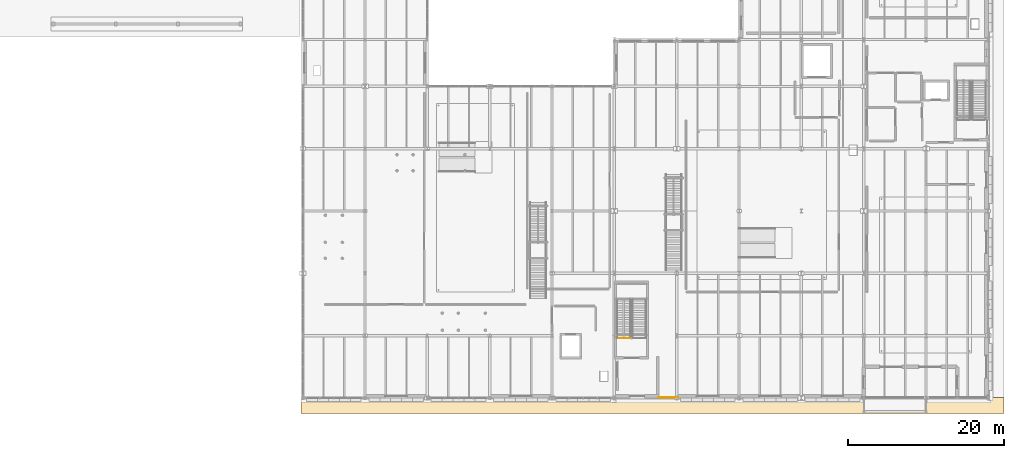
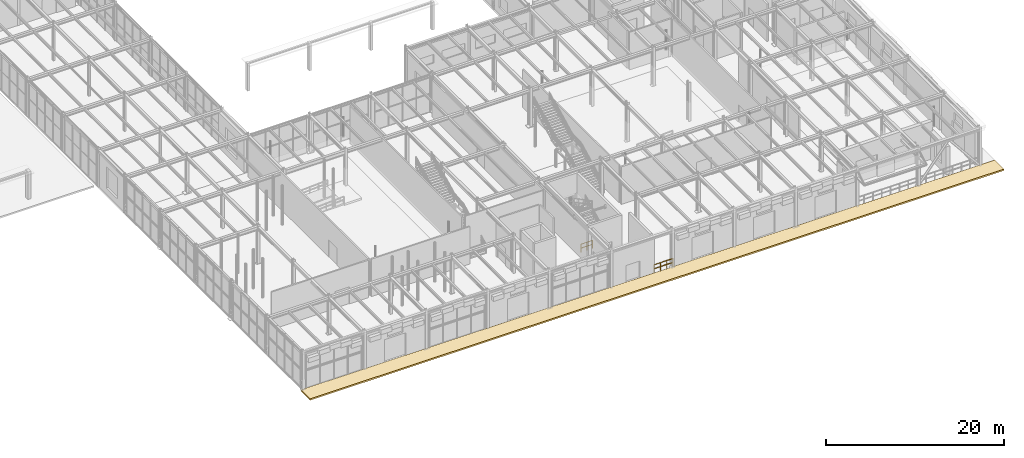
# One storey, part 113 of 129: 2 railings, 1 covering.
"""IFC4 building model written with IfcOpenShell, lengths in metres."""

import ifcopenshell
import ifcopenshell.guid

model = None  # the IFC model being written
_history = None  # IfcOwnerHistory: only IFC2X3 demands one
_inside = {}  # id of a spatial element -> (the spatial element, [elements in it])
_under = {}  # id of a project, library or spatial element -> (it, [spatial elements below it])
_declared = {}  # id of a project -> (the project, [libraries it declares])
_typed = {}  # id of a type object -> (the type object, [elements of that type])
_made_of = {}  # id of a material, layer set ... -> (it, [elements and type objects made of it])


def new_model(schema):
    """Start an empty IFC model of exactly this schema.

    Asked for "IFC4X3", IfcOpenShell would pick the latest addendum, in which some entities
    have other attributes; the version numbers below select the first issue.
    IFC2X3 requires an IfcOwnerHistory on every rooted entity: one is made here for all.
    """
    global model, _history
    if schema == "IFC4X3":
        model = ifcopenshell.file(schema_version=(4, 3, 0, 0))
    else:
        model = ifcopenshell.file(schema=schema)
    _inside.clear()
    _under.clear()
    _declared.clear()
    _typed.clear()
    _made_of.clear()
    _history = None
    if model.schema == "IFC2X3":
        org = make("IfcOrganization", Name="unknown")
        user = make(
            "IfcPersonAndOrganization",
            ThePerson=make("IfcPerson", FamilyName="unknown"),
            TheOrganization=org,
        )
        app = make(
            "IfcApplication",
            ApplicationDeveloper=org,
            Version="unknown",
            ApplicationFullName="unknown",
            ApplicationIdentifier="unknown",
        )
        _history = make(
            "IfcOwnerHistory",
            OwningUser=user,
            OwningApplication=app,
            ChangeAction="ADDED",
            CreationDate=0,
        )
    return model


def make(cls, **values):
    """One entity of the class cls with the attributes given. An attribute that is None is left unset."""
    return model.create_entity(
        cls, **{name: value for name, value in values.items() if value is not None}
    )


def rooted(cls, **values):
    """An entity with a GlobalId (a new one), such as an element, a storey or a relation."""
    return make(cls, GlobalId=ifcopenshell.guid.new(), OwnerHistory=_history, **values)


def si_unit(unit_type, name, prefix=None):
    """IfcSIUnit, for example si_unit("LENGTHUNIT", "METRE", prefix="MILLI")."""
    return make("IfcSIUnit", UnitType=unit_type, Prefix=prefix, Name=name)


def assignment(units):
    """IfcUnitAssignment: the units of a project."""
    return None if units is None else make("IfcUnitAssignment", Units=units)


def point(xyz):
    """IfcCartesianPoint."""
    return None if xyz is None else make("IfcCartesianPoint", Coordinates=xyz)


def direction(xyz):
    """IfcDirection."""
    return None if xyz is None else make("IfcDirection", DirectionRatios=xyz)


def frame(location, z_axis=None, x_axis=None):
    """IfcAxis2Placement3D, a coordinate frame: its origin and axes. An axis left out is left unset."""
    return make(
        "IfcAxis2Placement3D",
        Location=point(location),
        Axis=direction(z_axis),
        RefDirection=direction(x_axis),
    )


def frame_2d(location, x_axis=None):
    """IfcAxis2Placement2D, a coordinate frame in the plane: its origin and x axis."""
    return make(
        "IfcAxis2Placement2D", Location=point(location), RefDirection=direction(x_axis)
    )


def origin():
    """The frame at (0, 0, 0) with its axes left unset."""
    return frame((0.0, 0.0, 0.0))


def origin_2d():
    """The frame at (0, 0) in the plane with its x axis left unset."""
    return frame_2d((0.0, 0.0))


def place(relative_to, where):
    """IfcLocalPlacement: puts the frame where relative to a parent placement (None: the world)."""
    return make(
        "IfcLocalPlacement", PlacementRelTo=relative_to, RelativePlacement=where
    )


def context(
    kind, dimensions, precision=None, world=None, true_north=None, identifier=None
):
    """IfcGeometricRepresentationContext, for example the 3D "Model" context."""
    return make(
        "IfcGeometricRepresentationContext",
        ContextIdentifier=identifier,
        ContextType=kind,
        CoordinateSpaceDimension=dimensions,
        Precision=precision,
        WorldCoordinateSystem=world,
        TrueNorth=true_north,
    )


def subcontext(parent, identifier, kind, view, scale=None):
    """IfcGeometricRepresentationSubContext, for example "Body" below "Model"."""
    return make(
        "IfcGeometricRepresentationSubContext",
        ContextIdentifier=identifier,
        ContextType=kind,
        ParentContext=parent,
        TargetScale=scale,
        TargetView=view,
    )


def project(units=None, contexts=None):
    """IfcProject with its units and contexts."""
    return rooted(
        "IfcProject",
        Name="project",
        RepresentationContexts=contexts,
        UnitsInContext=assignment(units),
    )


def spatial(cls, under=None, at=None, **own):
    """A site, building, storey or space (cls), placed at a placement, below another one or the project."""
    s = rooted(cls, ObjectPlacement=at, **own)
    if under is not None:
        _under.setdefault(under.id(), (under, []))[1].append(s)
    return s


def polyline(points):
    """IfcPolyline through the points."""
    return make("IfcPolyline", Points=[point(p) for p in points])


def profile(cls, at=None, kind="AREA", **sizes):
    """A parametric profile (cls). Its sizes go by their IFC names, for example OverallWidth=200.0."""
    return make(cls, ProfileType=kind, Position=at, **sizes)


def circle(**sizes):
    """IfcCircleProfileDef."""
    return profile("IfcCircleProfileDef", **sizes)


def outline(outer, holes=None, kind="AREA"):
    """IfcArbitraryClosedProfileDef: a profile drawn as a closed curve; with holes, ...WithVoids."""
    if holes is None:
        return make("IfcArbitraryClosedProfileDef", ProfileType=kind, OuterCurve=outer)
    return make(
        "IfcArbitraryProfileDefWithVoids",
        ProfileType=kind,
        OuterCurve=outer,
        InnerCurves=holes,
    )


def extrude(swept, where, along, depth):
    """IfcExtrudedAreaSolid: the profile swept, set in the frame where, extruded along a direction by depth."""
    return make(
        "IfcExtrudedAreaSolid",
        SweptArea=swept,
        Position=where,
        ExtrudedDirection=direction(along),
        Depth=depth,
    )


def shape(context_of_items, identifier, shape_type, items):
    """IfcShapeRepresentation: the items that make up one representation, for example the "Body"."""
    return make(
        "IfcShapeRepresentation",
        ContextOfItems=context_of_items,
        RepresentationIdentifier=identifier,
        RepresentationType=shape_type,
        Items=items,
    )


def material(Name=None, Category=None):
    """IfcMaterial."""
    return make("IfcMaterial", Name=Name, Category=Category)


def layer(
    of_material, thickness, ventilated=None, Name=None, Category=None, Priority=None
):
    """IfcMaterialLayer: one layer of a wall or slab, of a material (None: an air gap)."""
    return make(
        "IfcMaterialLayer",
        Material=of_material,
        LayerThickness=thickness,
        IsVentilated=ventilated,
        Name=Name,
        Category=Category,
        Priority=Priority,
    )


def layer_set(layers, Name=None):
    """IfcMaterialLayerSet."""
    return make("IfcMaterialLayerSet", MaterialLayers=layers, LayerSetName=Name)


def made_of(thing, what):
    """Note that an element or type object is made of a material, layer set ...; save() writes the relation."""
    if what is not None:
        _made_of.setdefault(what.id(), (what, []))[1].append(thing)
    return thing


def type_object(cls, material=None, **own):
    """A type object (cls), such as IfcWallType, which elements share."""
    return made_of(rooted(cls, **own), material)


def element(
    cls,
    number,
    at=None,
    inside=None,
    cuts=None,
    type_object=None,
    material=None,
    context=None,
    identifier="Body",
    shape_type=None,
    held_by="IfcProductDefinitionShape",
    body=None,
    shapes=None,
    **own,
):
    """One element of the class cls, such as IfcWall. Its Tag is "e" and its number.

    at: its placement. inside: the storey or other place that contains it. cuts: it is an
    opening in that element (IfcRelVoidsElement). A single representation is given by context,
    identifier, shape_type and body (its items); several are given by shapes. held_by: the class
    of the entity that holds the representations. save() writes the other relations.
    """
    e = rooted(cls, Tag="e%d" % number, ObjectPlacement=at, **own)
    if body is not None:
        shapes = [shape(context, identifier, shape_type, body)]
    if shapes is not None:
        e.Representation = make(held_by, Representations=shapes)
    if inside is not None:
        _inside.setdefault(inside.id(), (inside, []))[1].append(e)
    if cuts is not None:
        rooted(
            "IfcRelVoidsElement", RelatingBuildingElement=cuts, RelatedOpeningElement=e
        )
    if type_object is not None:
        _typed.setdefault(type_object.id(), (type_object, []))[1].append(e)
    return made_of(e, material)


def aggregate(whole, parts):
    """IfcRelAggregates: a whole, such as a stair, and the parts it consists of."""
    return rooted("IfcRelAggregates", RelatingObject=whole, RelatedObjects=parts)


def save(model, path):
    """Write the relations noted so far, then the file.

    IfcRelAggregates (storeys below a building ...), IfcRelContainedInSpatialStructure (elements
    in a storey), IfcRelDefinesByType, IfcRelAssociatesMaterial and IfcRelDeclares: one each for
    every whole, place, type object, material and project.
    """
    for whole, parts in _under.values():
        aggregate(whole, parts)
    for where, things in _inside.values():
        rooted(
            "IfcRelContainedInSpatialStructure",
            RelatedElements=things,
            RelatingStructure=where,
        )
    for kind, things in _typed.values():
        rooted("IfcRelDefinesByType", RelatedObjects=things, RelatingType=kind)
    for what, things in _made_of.values():
        rooted("IfcRelAssociatesMaterial", RelatedObjects=things, RelatingMaterial=what)
    for by, libraries in _declared.values():
        rooted("IfcRelDeclares", RelatingContext=by, RelatedDefinitions=libraries)
    model.write(path)


model = new_model("IFC4")

# Units and contexts
model_context = context("Model", 3, precision=1e-05, world=origin(), true_north=direction((0.0, 1.0)))
body_context = subcontext(model_context, "Body", "Model", "MODEL_VIEW")
ifc_project = project(units=[si_unit("LENGTHUNIT", "METRE"), si_unit("AREAUNIT", "SQUARE_METRE"), si_unit("VOLUMEUNIT", "CUBIC_METRE"), si_unit("PLANEANGLEUNIT", "RADIAN"), si_unit("MASSUNIT", "GRAM", prefix="KILO")], contexts=[model_context])

# Site, building, storey
site_placement = place(None, origin())
site = spatial("IfcSite", under=ifc_project, at=site_placement, CompositionType="ELEMENT")
building_placement = place(site_placement, origin())
building = spatial("IfcBuilding", under=site, at=building_placement, Name="Sundkrona Museum", CompositionType="ELEMENT")
storey_placement = place(building_placement, origin())
storey = spatial("IfcBuildingStorey", under=building, at=storey_placement, Name="L00", CompositionType="ELEMENT", Elevation=0.0)

# Covering
ifc_material_1 = material(Name="Frost-Resistant Vitrified Stoneware Mosaic Cladding", Category="masonry")
ifc_layer = layer(ifc_material_1, 0.044921875)
ifc_layer_set = layer_set([ifc_layer], Name="Frost-Resistant Vitrified Stoneware Mosaic Cladding")
covering_type = type_object("IfcCoveringType", Name="COV-CLD-MOS", PredefinedType="CLADDING", material=ifc_layer_set)
covering_placement = place(storey_placement, frame((0.0, 0.0, -0.219970703125)))
element("IfcCovering", 1, at=covering_placement, inside=storey, type_object=covering_type, Name="Granite Street and Forecourt Civic Plinth (COV-PLN-SOUTH)", PredefinedType="CLADDING", context=body_context, shape_type="SweptSolid", body=[
    extrude(outline(polyline([(79.800048828125, -2.0), (170.0, -2.0), (170.0, 0.050048828125), (79.800048828125, 0.050048828125), (79.800048828125, -2.0)])), origin(), (0.0, 0.0, 1.0), 0.2099609375),
])

# Railings
ifc_material_2 = material(Name="Painted Steel S355J2 and Laminated Glass Balustrade", Category="steel")
railing_type = type_object("IfcRailingType", Name="RL-GUARD-1100", PredefinedType="BALUSTRADE", material=ifc_material_2)
railing_1_placement = place(storey_placement, frame((120.580078125, 7.6650390625, 0.0)))
element("IfcRailing", 2, at=railing_1_placement, inside=storey, type_object=railing_type, Name="L00 Edge Protection Balustrade 028", PredefinedType="BALUSTRADE", context=body_context, shape_type="SweptSolid", body=[
    extrude(circle(Radius=0.02392578125, at=origin_2d()), frame((0.0, 0.0, 1.09619140625), z_axis=(1.0, 0.0, 0.0), x_axis=(0.0, 1.0, 0.0)), (0.0, 0.0, 1.0), 1.52001953125),
    extrude(circle(Radius=0.02392578125, at=origin_2d()), frame((0.0, 0.0, 0.56005859375), z_axis=(1.0, 0.0, 0.0), x_axis=(0.0, 1.0, 0.0)), (0.0, 0.0, 1.0), 1.52001953125),
    extrude(circle(Radius=0.02099609375, at=origin_2d()), origin(), (0.0, 0.0, 1.0), 1.072021484375),
    extrude(circle(Radius=0.02099609375, at=origin_2d()), frame((0.760009765625, 0.0, 0.0)), (0.0, 0.0, 1.0), 1.072021484375),
    extrude(circle(Radius=0.02099609375, at=origin_2d()), frame((1.52001953125, 0.0, 0.0)), (0.0, 0.0, 1.0), 1.072021484375),
])
railing_2_placement = place(storey_placement, frame((128.152099609375, 0.06005859375, 0.0)))
element("IfcRailing", 3, at=railing_2_placement, inside=storey, type_object=railing_type, Name="L00 Edge Protection Balustrade 030", PredefinedType="BALUSTRADE", context=body_context, shape_type="SweptSolid", body=[
    extrude(circle(Radius=0.02392578125, at=origin_2d()), frame((0.0, 0.0, 1.09619140625), z_axis=(-1.0, 0.0, 0.0), x_axis=(0.0, -1.0, 0.0)), (0.0, 0.0, 1.0), 2.4521484375),
    extrude(circle(Radius=0.02392578125, at=origin_2d()), frame((0.0, 0.0, 0.56005859375), z_axis=(-1.0, 0.0, 0.0), x_axis=(0.0, -1.0, 0.0)), (0.0, 0.0, 1.0), 2.4521484375),
    extrude(circle(Radius=0.02099609375, at=origin_2d()), origin(), (0.0, 0.0, 1.0), 1.072021484375),
    extrude(circle(Radius=0.02099609375, at=origin_2d()), frame((-0.8173828125, 0.0, 0.0)), (0.0, 0.0, 1.0), 1.072021484375),
    extrude(circle(Radius=0.02099609375, at=origin_2d()), frame((-1.634765625, 0.0, 0.0)), (0.0, 0.0, 1.0), 1.072021484375),
    extrude(circle(Radius=0.02099609375, at=origin_2d()), frame((-2.4521484375, 0.0, 0.0)), (0.0, 0.0, 1.0), 1.072021484375),
])

save(model, "model.ifc")
